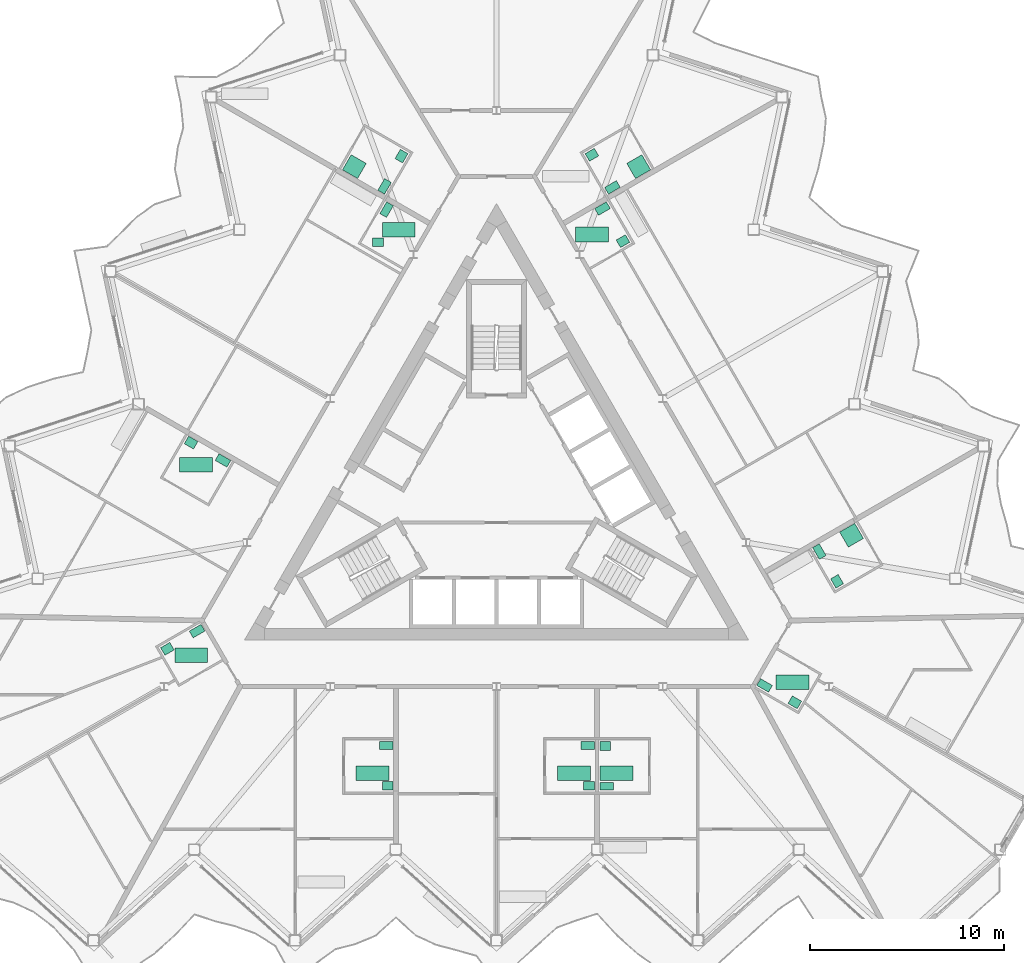
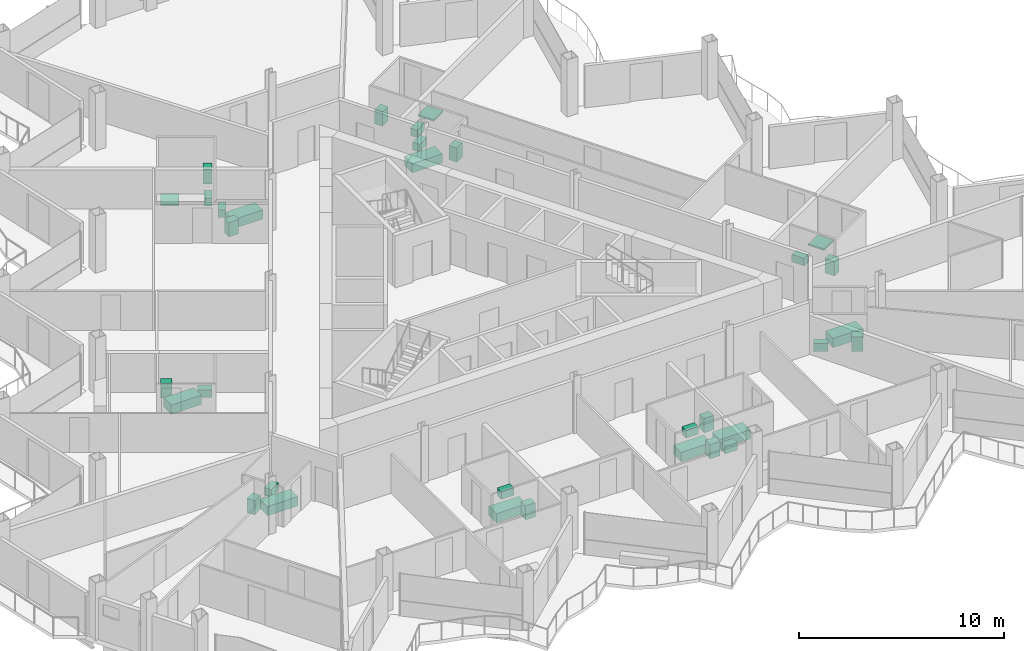
# One storey, part 26 of 27: 33 sanitary terminals.
"""IFC4 building model written with IfcOpenShell, lengths in metres."""

from ifc_helpers import new_model, si_unit, direction, frame, origin, origin_2d, place, context, subcontext, project, spatial, rectangle, extrude, material, type_object, element, save


model = new_model("IFC4")

# Units and contexts
model_context = context("Model", 3, precision=1e-05, world=origin(), true_north=direction((0.0, 1.0)))
body_context = subcontext(model_context, "Body", "Model", "MODEL_VIEW")
ifc_project = project(units=[si_unit("LENGTHUNIT", "METRE"), si_unit("AREAUNIT", "SQUARE_METRE"), si_unit("VOLUMEUNIT", "CUBIC_METRE"), si_unit("PLANEANGLEUNIT", "RADIAN"), si_unit("MASSUNIT", "GRAM", prefix="KILO")], contexts=[model_context])

# Site, building, storey
site_placement = place(None, origin())
site = spatial("IfcSite", under=ifc_project, at=site_placement, CompositionType="ELEMENT")
building_placement = place(site_placement, origin())
building = spatial("IfcBuilding", under=site, at=building_placement, Name="Cormorant Prow Tower", CompositionType="ELEMENT")
storey_placement = place(building_placement, frame((0.0, 0.0, 318.800048828125)))
storey = spatial("IfcBuildingStorey", under=building, at=storey_placement, Name="L70", CompositionType="ELEMENT", Elevation=318.800048828125)

# Sanitary terminals
ifc_material_1 = material(Name="Vitreous china")
sanitary_terminal_type_1 = type_object("IfcSanitaryTerminalType", Name="Bath 1700x750", PredefinedType="BATH", material=ifc_material_1)
for number, where, z_axis, x_axis, name in (
    (1, (-6.397705078125, -14.385498046875, 0.0), (0.0, 0.0, 1.0), (1.0, 0.0, 0.0), "Bath"),
    (2, (3.98779296875, -14.385498046875, 0.0), (0.0, 0.0, 1.0), (1.0, 0.0, 0.0), "Bath"),
    (3, (6.187744140625, -14.385498046875, 0.0), (0.0, 0.0, 1.0), (1.0, 0.0, 0.0), "Bath"),
    (4, (15.260498046875, -9.70068359375, 0.0), (0.0, 0.0, 1.0), (1.0, 0.0, 0.0), "Bath"),
    (5, (4.915283203125, 13.41357421875, 0.0), (0.0, 0.0, 1.0), (1.0, 0.0, 0.0), "Bath"),
    (6, (-5.044189453125, 13.66357421875, 0.0), (0.0, 0.0, 1.0), (1.0, 0.0, 0.0), "Bath"),
    (7, (-15.50830078125, 1.522216796875, 0.0), (0.0, 0.0, 1.0), (1.0, 0.0, 0.0), "Bath"),
    (8, (-15.75244140625, -8.29248046875, 0.0), (0.0, 0.0, 1.0), (1.0, 0.0, 0.0), "Bath"),
):
    element("IfcSanitaryTerminal", number, at=place(storey_placement, frame(where, z_axis=z_axis, x_axis=x_axis)), inside=storey, type_object=sanitary_terminal_type_1, Name=name, PredefinedType="BATH", context=body_context, shape_type="SweptSolid", body=[
        extrude(rectangle(XDim=1.699951171875, YDim=0.75, at=origin_2d()), origin(), (0.0, 0.0, 1.0), 0.550048828125),
    ])
ifc_material_2 = material(Name="Vitreous china")
sanitary_terminal_type_2 = type_object("IfcSanitaryTerminalType", Name="Shower tray 900x900", PredefinedType="SHOWER", material=ifc_material_2)
for number, where, z_axis, x_axis, name in (
    (9, (18.316650390625, -2.104248046875, 0.0), (0.0, 0.0, 1.0), (0.5, -0.866025403784, 0.0), "Shower tray"),
    (10, (7.3359375, 16.914794921875, 0.0), (0.0, 0.0, 1.0), (-0.866025403784, -0.5, 0.0), "Shower tray"),
    (11, (-7.3359375, 16.914794921875, 0.0), (0.0, 0.0, 1.0), (0.5, 0.866025403784, 0.0), "Shower tray"),
):
    element("IfcSanitaryTerminal", number, at=place(storey_placement, frame(where, z_axis=z_axis, x_axis=x_axis)), inside=storey, type_object=sanitary_terminal_type_2, Name=name, PredefinedType="SHOWER", context=body_context, shape_type="SweptSolid", body=[
        extrude(rectangle(XDim=0.89990234375, YDim=0.89990234375, at=origin_2d()), origin(), (0.0, 0.0, 1.0), 0.10009765625),
    ])
ifc_material_3 = material(Name="Vitreous china")
sanitary_terminal_type_3 = type_object("IfcSanitaryTerminalType", Name="Wash basin 550x450", PredefinedType="WASHHANDBASIN", material=ifc_material_3)
for number, where, z_axis, x_axis, name in (
    (12, (-5.61279296875, -15.03564453125, 0.0), (0.0, 0.0, 1.0), (-1.0, 0.0, 0.0), "Wash basin"),
    (13, (4.772705078125, -15.03564453125, 0.0), (0.0, 0.0, 1.0), (-1.0, 0.0, 0.0), "Wash basin"),
    (14, (5.61279296875, -12.9755859375, 0.0), (0.0, 0.0, 1.0), (1.0, 0.0, 0.0), "Wash basin"),
    (15, (15.390380859375, -10.72509765625, 0.0), (0.0, 0.0, 1.0), (-0.866025403784, 0.5, 0.0), "Wash basin"),
    (16, (17.570068359375, -4.48095703125, 0.0), (0.0, 0.0, 1.0), (-0.5, 0.866025403784, 0.0), "Wash basin"),
    (17, (6.525146484375, 13.069091796875, 0.0), (0.0, 0.0, 1.0), (-0.866025403784, -0.5, 0.0), "Wash basin"),
    (18, (4.922607421875, 17.52490234375, 0.0), (0.0, 0.0, 1.0), (0.866025403784, 0.5, 0.0), "Wash basin"),
    (19, (-4.904296875, 17.45654296875, 0.0), (0.0, 0.0, 1.0), (-0.5, -0.866025403784, 0.0), "Wash basin"),
    (20, (-6.119140625, 13.013427734375, 0.0), (0.0, 0.0, 1.0), (1.0, 0.0, 0.0), "Wash basin"),
    (21, (-15.75927734375, 2.67529296875, 0.0), (0.0, 0.0, 1.0), (0.866025403784, -0.5, 0.0), "Wash basin"),
    (22, (-16.9833984375, -7.966064453125, 0.0), (0.0, 0.0, 1.0), (0.866025403784, 0.5, 0.0), "Wash basin"),
):
    element("IfcSanitaryTerminal", number, at=place(storey_placement, frame(where, z_axis=z_axis, x_axis=x_axis)), inside=storey, type_object=sanitary_terminal_type_3, Name=name, PredefinedType="WASHHANDBASIN", context=body_context, shape_type="SweptSolid", body=[
        extrude(rectangle(XDim=0.550048828125, YDim=0.449951171875, at=origin_2d()), origin(), (0.0, 0.0, 1.0), 0.85009765625),
    ])
ifc_material_4 = material(Name="Vitreous china")
sanitary_terminal_type_4 = type_object("IfcSanitaryTerminalType", Name="Water closet 400x700", PredefinedType="WCSEAT", material=ifc_material_4)
for number, where, z_axis, x_axis, name in (
    (23, (-5.687744140625, -12.95068359375, 0.0), (0.0, 0.0, 1.0), (0.0, -1.0, 0.0), "Water closet"),
    (24, (4.69775390625, -12.95068359375, 0.0), (0.0, 0.0, 1.0), (0.0, -1.0, 0.0), "Water closet"),
    (25, (5.687744140625, -15.060546875, 0.0), (0.0, 0.0, 1.0), (0.0, 1.0, 0.0), "Water closet"),
    (26, (13.83203125, -9.854248046875, 0.0), (0.0, 0.0, 1.0), (0.5, 0.866025403784, 0.0), "Water closet"),
    (27, (16.65576171875, -2.947509765625, 0.0), (0.0, 0.0, 1.0), (0.866025403784, 0.5, 0.0), "Water closet"),
    (28, (5.4677734375, 14.750732421875, 0.0), (0.0, 0.0, 1.0), (0.5, -0.866025403784, 0.0), "Water closet"),
    (29, (5.97998046875, 15.84326171875, 0.0), (0.0, 0.0, 1.0), (-0.5, 0.866025403784, 0.0), "Water closet"),
    (30, (-5.775146484375, 15.898193359375, 0.0), (0.0, 0.0, 1.0), (-0.866025403784, 0.5, 0.0), "Water closet"),
    (31, (-5.672607421875, 14.69580078125, 0.0), (0.0, 0.0, 1.0), (0.866025403784, -0.5, 0.0), "Water closet"),
    (32, (-14.1142578125, 1.75439453125, 0.0), (0.0, 0.0, 1.0), (-0.5, -0.866025403784, 0.0), "Water closet"),
    (33, (-15.4501953125, -7.0517578125, 0.0), (0.0, 0.0, 1.0), (0.5, -0.866025403784, 0.0), "Water closet"),
):
    element("IfcSanitaryTerminal", number, at=place(storey_placement, frame(where, z_axis=z_axis, x_axis=x_axis)), inside=storey, type_object=sanitary_terminal_type_4, Name=name, PredefinedType="WCSEAT", context=body_context, shape_type="SweptSolid", body=[
        extrude(rectangle(XDim=0.39990234375, YDim=0.699951171875, at=origin_2d()), origin(), (0.0, 0.0, 1.0), 0.449951171875),
    ])

save(model, "model.ifc")
